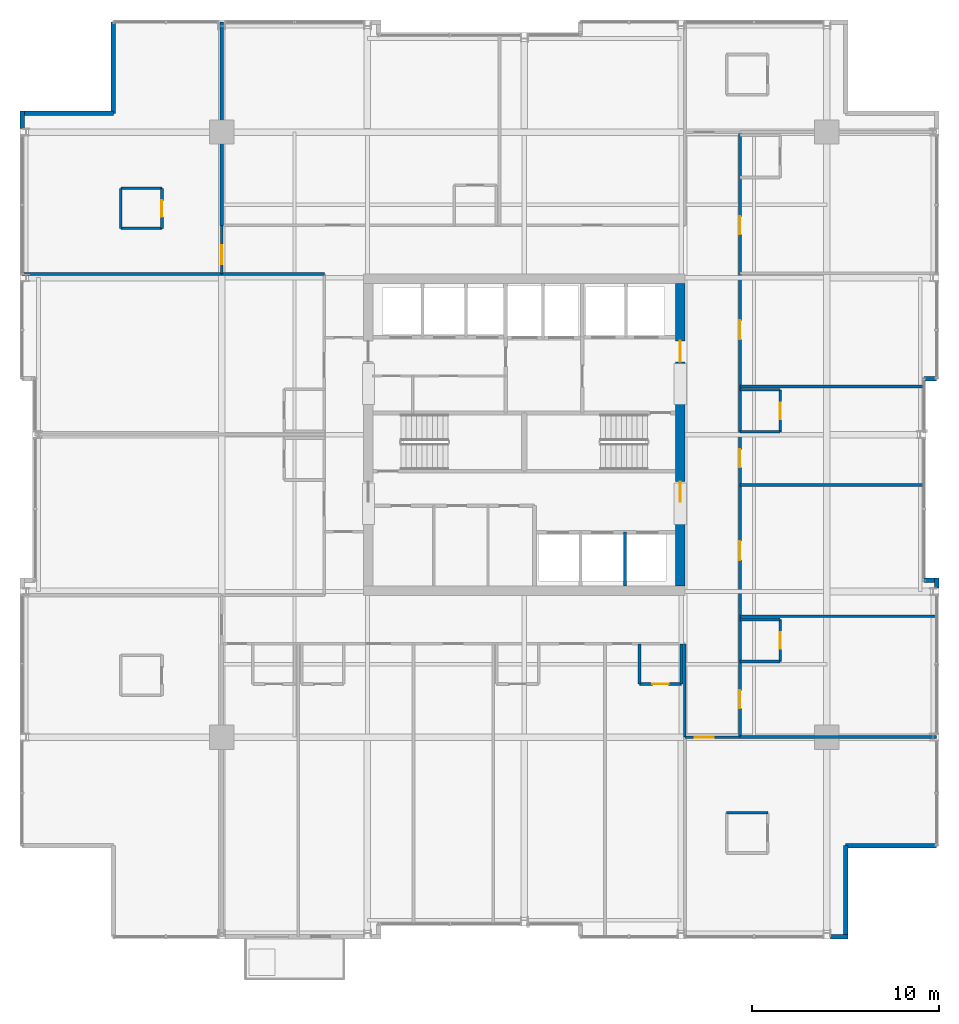
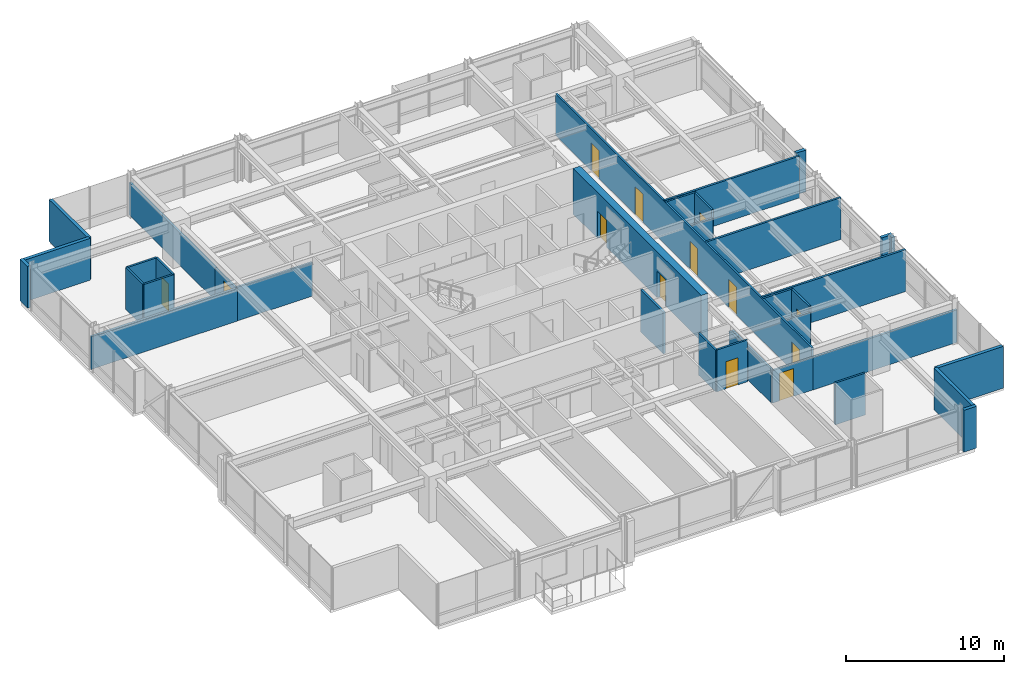
# One storey, part 28 of 33: 36 walls, 13 doors, 13 openings.
"""IFC4 building model written with IfcOpenShell, lengths in metres."""

from ifc_helpers import new_model, si_unit, direction, frame, frame_2d, origin, place, context, subcontext, project, spatial, rectangle, extrude, material, layer, layer_set, type_object, element, fill, save


model = new_model("IFC4")

# Units and contexts
model_context = context("Model", 3, precision=1e-05, world=origin(), true_north=direction((0.0, 1.0)))
body_context = subcontext(model_context, "Body", "Model", "MODEL_VIEW")
ifc_project = project(units=[si_unit("LENGTHUNIT", "METRE"), si_unit("AREAUNIT", "SQUARE_METRE"), si_unit("VOLUMEUNIT", "CUBIC_METRE"), si_unit("PLANEANGLEUNIT", "RADIAN"), si_unit("MASSUNIT", "GRAM", prefix="KILO")], contexts=[model_context])

# Site, building, storey
site_placement = place(None, origin())
site = spatial("IfcSite", under=ifc_project, at=site_placement, CompositionType="ELEMENT")
building_placement = place(site_placement, origin())
building = spatial("IfcBuilding", under=site, at=building_placement, Name="Drelvath Grand Hotel", CompositionType="ELEMENT")
storey_placement = place(building_placement, frame((0.0, 0.0, 196.550048828125)))
storey = spatial("IfcBuildingStorey", under=building, at=storey_placement, Name="L51", CompositionType="ELEMENT", Elevation=196.550048828125)

# Walls
ifc_material_1 = material(Name="Gypsum Fireboard Partition")
ifc_layer_1 = layer(ifc_material_1, 0.1650390625)
ifc_layer_set_1 = layer_set([ifc_layer_1], Name="Gypsum Fireboard Partition")
wall_type_1 = type_object("IfcWallType", Name="Core Shaft Partition 165", PredefinedType="PARTITIONING", material=ifc_layer_set_1)
wall_1_placement = place(storey_placement, frame((5.39990234375, 18.89990234375, 0.0), z_axis=(0.0, 0.0, 1.0), x_axis=(0.0, 1.0, 0.0)))
element("IfcWall", 1, at=wall_1_placement, inside=storey, type_object=wall_type_1, Name="L51 Lift PE-5/6 Divider", PredefinedType="PARTITIONING", context=body_context, shape_type="SweptSolid", body=[
    extrude(rectangle(XDim=2.880126953125, YDim=0.1650390625, at=frame_2d((1.43994140625, 0.0))), origin(), (0.0, 0.0, 1.0), 3.22998046875),
])
ifc_layer_2 = layer(ifc_material_1, 0.135009765625)
ifc_layer_set_2 = layer_set([ifc_layer_2], Name="Gypsum Fireboard Partition")
wall_type_2 = type_object("IfcWallType", Name="Corridor Fire Barrier Wall 135", PredefinedType="PARTITIONING", material=ifc_layer_set_2)
wall_2_placement = place(storey_placement, frame((8.60009765625, 10.800048828125, 0.0), z_axis=(0.0, 0.0, 1.0), x_axis=(0.0, 1.0, 0.0)))
element("IfcWall", 2, at=wall_2_placement, inside=storey, type_object=wall_type_2, Name="L51 East Spine South Inner Wall", PredefinedType="PARTITIONING", context=body_context, shape_type="SweptSolid", body=[
    extrude(rectangle(XDim=5.0, YDim=0.135009765625, at=frame_2d((2.5, 0.0))), origin(), (0.0, 0.0, 1.0), 2.607421875),
])
wall_3_placement = place(storey_placement, frame((-16.199951171875, 35.60009765625, 0.0), z_axis=(0.0, 0.0, 1.0), x_axis=(1.0, 0.0, 0.0)))
element("IfcWall", 3, at=wall_3_placement, inside=storey, type_object=wall_type_2, Name="L51 NW Stub South Wall", PredefinedType="PARTITIONING", context=body_context, shape_type="SweptSolid", body=[
    extrude(rectangle(XDim=5.5, YDim=0.135009765625, at=frame_2d((2.75, 0.0))), origin(), (0.0, 0.0, 1.0), 2.607421875),
])

# Wall, openings, doors
wall_4_placement = place(storey_placement, frame((11.550048828125, 10.800048828125, 0.0), z_axis=(0.0, 0.0, 1.0), x_axis=(0.0, 1.0, 0.0)))
wall_4 = element("IfcWall", 4, at=wall_4_placement, inside=storey, type_object=wall_type_2, Name="L51 East Spine Corridor Wall", PredefinedType="PARTITIONING", context=body_context, shape_type="SweptSolid", body=[
    extrude(rectangle(XDim=32.39990234375, YDim=0.135009765625, at=frame_2d((16.199951171875, 0.0))), origin(), (0.0, 0.0, 1.0), 3.22998046875),
])
opening_1_placement = place(wall_4_placement, frame((1.544921875, 0.0, 0.0)))
opening_1 = element("IfcOpeningElement", 5, at=opening_1_placement, cuts=wall_4, Name="Opening D-T3G5-047", PredefinedType="OPENING", context=body_context, shape_type="SweptSolid", body=[
    extrude(rectangle(XDim=0.9599609375, YDim=2.14990234375, at=frame_2d((0.47998046875, 1.074951171875))), frame((0.0, 0.077392578125, 0.0), z_axis=(0.0, -1.0, 0.0), x_axis=(1.0, 0.0, 0.0)), (0.0, 0.0, 1.0), 0.155029296875),
])
opening_2_placement = place(wall_4_placement, frame((9.47998046875, 0.0, 0.0)))
opening_2 = element("IfcOpeningElement", 6, at=opening_2_placement, cuts=wall_4, Name="Opening D-T3G5-048", PredefinedType="OPENING", context=body_context, shape_type="SweptSolid", body=[
    extrude(rectangle(XDim=1.02001953125, YDim=2.14990234375, at=frame_2d((0.510009765625, 1.074951171875))), frame((0.0, 0.077392578125, 0.0), z_axis=(0.0, -1.0, 0.0), x_axis=(1.0, 0.0, 0.0)), (0.0, 0.0, 1.0), 0.155029296875),
])
opening_3_placement = place(wall_4_placement, frame((14.445068359375, 0.0, 0.0)))
opening_3 = element("IfcOpeningElement", 7, at=opening_3_placement, cuts=wall_4, Name="Opening D-T3G5-050", PredefinedType="OPENING", context=body_context, shape_type="SweptSolid", body=[
    extrude(rectangle(XDim=0.9599609375, YDim=2.14990234375, at=frame_2d((0.47998046875, 1.074951171875))), frame((0.0, 0.077392578125, 0.0), z_axis=(0.0, -1.0, 0.0), x_axis=(1.0, 0.0, 0.0)), (0.0, 0.0, 1.0), 0.155029296875),
])
opening_4_placement = place(wall_4_placement, frame((21.300048828125, 0.0, 0.0)))
opening_4 = element("IfcOpeningElement", 8, at=opening_4_placement, cuts=wall_4, Name="Opening D-T3G5-051", PredefinedType="OPENING", context=body_context, shape_type="SweptSolid", body=[
    extrude(rectangle(XDim=1.02001953125, YDim=2.14990234375, at=frame_2d((0.510009765625, 1.074951171875))), frame((0.0, 0.077392578125, 0.0), z_axis=(0.0, -1.0, 0.0), x_axis=(1.0, 0.0, 0.0)), (0.0, 0.0, 1.0), 0.155029296875),
])
opening_5_placement = place(wall_4_placement, frame((26.925048828125, 0.0, 0.0)))
opening_5 = element("IfcOpeningElement", 9, at=opening_5_placement, cuts=wall_4, Name="Opening D-T3G5-053", PredefinedType="OPENING", context=body_context, shape_type="SweptSolid", body=[
    extrude(rectangle(XDim=0.9599609375, YDim=2.14990234375, at=frame_2d((0.47998046875, 1.074951171875))), frame((0.0, 0.077392578125, 0.0), z_axis=(0.0, -1.0, 0.0), x_axis=(1.0, 0.0, 0.0)), (0.0, 0.0, 1.0), 0.155029296875),
])
ifc_material_2 = material(Name="Hardwood Walnut Timber", Category="wood")
door_type_1 = type_object("IfcDoorType", Name="Amenity Meeting Fire Door 1020x2150", OperationType="NOTDEFINED", PredefinedType="DOOR", material=ifc_material_2)
door_1_placement = place(opening_2_placement, origin())
door_1 = element("IfcDoor", 10, at=door_1_placement, inside=storey, type_object=door_type_1, Name="L51 Spa Therapy Room Entry Door", OperationType="SINGLE_SWING_RIGHT", OverallHeight=2.14990234375, OverallWidth=1.02001953125, PredefinedType="DOOR", context=body_context, shape_type="SweptSolid", body=[
    extrude(rectangle(XDim=1.02001953125, YDim=2.14990234375, at=frame_2d((0.510009765625, 1.074951171875))), frame((0.0, 0.02490234375, 0.0), z_axis=(0.0, -1.0, 0.0), x_axis=(1.0, 0.0, 0.0)), (0.0, 0.0, 1.0), 0.050048828125),
])
fill(opening_2, door_1)
door_2_placement = place(opening_4_placement, origin())
door_2 = element("IfcDoor", 11, at=door_2_placement, inside=storey, type_object=door_type_1, Name="L51 Protocol Office Entry Door", OperationType="SINGLE_SWING_LEFT", OverallHeight=2.14990234375, OverallWidth=1.02001953125, PredefinedType="DOOR", context=body_context, shape_type="SweptSolid", body=[
    extrude(rectangle(XDim=1.02001953125, YDim=2.14990234375, at=frame_2d((0.510009765625, 1.074951171875))), frame((0.0, 0.02490234375, 0.0), z_axis=(0.0, -1.0, 0.0), x_axis=(1.0, 0.0, 0.0)), (0.0, 0.0, 1.0), 0.050048828125),
])
fill(opening_4, door_2)
door_type_2 = type_object("IfcDoorType", Name="Guestroom Entrance Fire Door 960x2150", OperationType="NOTDEFINED", PredefinedType="DOOR", material=ifc_material_2)
door_3_placement = place(opening_1_placement, origin())
door_3 = element("IfcDoor", 12, at=door_3_placement, inside=storey, type_object=door_type_2, Name="L51 King Guest Room Entry Door", OperationType="SINGLE_SWING_LEFT", OverallHeight=2.14990234375, OverallWidth=0.9599609375, PredefinedType="DOOR", context=body_context, shape_type="SweptSolid", body=[
    extrude(rectangle(XDim=0.9599609375, YDim=2.14990234375, at=frame_2d((0.47998046875, 1.074951171875))), frame((0.0, 0.02490234375, 0.0), z_axis=(0.0, -1.0, 0.0), x_axis=(1.0, 0.0, 0.0)), (0.0, 0.0, 1.0), 0.050048828125),
])
fill(opening_1, door_3)
door_4_placement = place(opening_3_placement, origin())
door_4 = element("IfcDoor", 13, at=door_4_placement, inside=storey, type_object=door_type_2, Name="L51 King Guest Room Entry Door", OperationType="SINGLE_SWING_RIGHT", OverallHeight=2.14990234375, OverallWidth=0.9599609375, PredefinedType="DOOR", context=body_context, shape_type="SweptSolid", body=[
    extrude(rectangle(XDim=0.9599609375, YDim=2.14990234375, at=frame_2d((0.47998046875, 1.074951171875))), frame((0.0, 0.02490234375, 0.0), z_axis=(0.0, -1.0, 0.0), x_axis=(1.0, 0.0, 0.0)), (0.0, 0.0, 1.0), 0.050048828125),
])
fill(opening_3, door_4)
door_5_placement = place(opening_5_placement, origin())
door_5 = element("IfcDoor", 14, at=door_5_placement, inside=storey, type_object=door_type_2, Name="L51 King Guest Room Entry Door", OperationType="SINGLE_SWING_LEFT", OverallHeight=2.14990234375, OverallWidth=0.9599609375, PredefinedType="DOOR", context=body_context, shape_type="SweptSolid", body=[
    extrude(rectangle(XDim=0.9599609375, YDim=2.14990234375, at=frame_2d((0.47998046875, 1.074951171875))), frame((0.0, 0.02490234375, 0.0), z_axis=(0.0, -1.0, 0.0), x_axis=(1.0, 0.0, 0.0)), (0.0, 0.0, 1.0), 0.050048828125),
])
fill(opening_5, door_5)

# Wall, opening, door
wall_5_placement = place(storey_placement, frame((-16.199951171875, 35.60009765625, 0.0), z_axis=(0.0, 0.0, 1.0), x_axis=(0.0, 1.0, 0.0)))
wall_5 = element("IfcWall", 15, at=wall_5_placement, inside=storey, type_object=wall_type_2, Name="L51 North Stub West End", PredefinedType="PARTITIONING", context=body_context, shape_type="SweptSolid", body=[
    extrude(rectangle(XDim=2.599853515625, YDim=0.135009765625, at=frame_2d((1.2998046875, 0.0))), origin(), (0.0, 0.0, 1.0), 2.51953125),
])
opening_6_placement = place(wall_5_placement, frame((0.52001953125, 0.0, 0.0)))
opening_6 = element("IfcOpeningElement", 16, at=opening_6_placement, cuts=wall_5, Name="Opening D-T3G5-029", PredefinedType="OPENING", context=body_context, shape_type="SweptSolid", body=[
    extrude(rectangle(XDim=1.02001953125, YDim=2.14990234375, at=frame_2d((0.510009765625, 1.074951171875))), frame((0.0, 0.077392578125, 0.0), z_axis=(0.0, -1.0, 0.0), x_axis=(1.0, 0.0, 0.0)), (0.0, 0.0, 1.0), 0.155029296875),
])
door_6_placement = place(opening_6_placement, origin())
door_6 = element("IfcDoor", 17, at=door_6_placement, inside=storey, type_object=door_type_1, Name="L51 Executive Suite Entry Door", OperationType="SINGLE_SWING_LEFT", OverallHeight=2.14990234375, OverallWidth=1.02001953125, PredefinedType="DOOR", context=body_context, shape_type="SweptSolid", body=[
    extrude(rectangle(XDim=1.02001953125, YDim=2.14990234375, at=frame_2d((0.510009765625, 1.074951171875))), frame((0.0, 0.02490234375, 0.0), z_axis=(0.0, -1.0, 0.0), x_axis=(1.0, 0.0, 0.0)), (0.0, 0.0, 1.0), 0.050048828125),
])
fill(opening_6, door_6)

wall_6_placement = place(storey_placement, frame((8.60009765625, 10.800048828125, 0.0), z_axis=(0.0, 0.0, 1.0), x_axis=(1.0, 0.0, 0.0)))
wall_6 = element("IfcWall", 18, at=wall_6_placement, inside=storey, type_object=wall_type_2, Name="L51 East Spine South End", PredefinedType="PARTITIONING", context=body_context, shape_type="SweptSolid", body=[
    extrude(rectangle(XDim=2.949951171875, YDim=0.135009765625, at=frame_2d((1.47509765625, 0.0))), origin(), (0.0, 0.0, 1.0), 2.51953125),
])
opening_7_placement = place(wall_6_placement, frame((0.52001953125, 0.0, 0.0)))
opening_7 = element("IfcOpeningElement", 19, at=opening_7_placement, cuts=wall_6, Name="Opening D-T3G5-031", PredefinedType="OPENING", context=body_context, shape_type="SweptSolid", body=[
    extrude(rectangle(XDim=1.02001953125, YDim=2.14990234375, at=frame_2d((0.510009765625, 1.074951171875))), frame((0.0, 0.077392578125, 0.0), z_axis=(0.0, -1.0, 0.0), x_axis=(1.0, 0.0, 0.0)), (0.0, 0.0, 1.0), 0.155029296875),
])
door_7_placement = place(opening_7_placement, origin())
door_7 = element("IfcDoor", 20, at=door_7_placement, inside=storey, type_object=door_type_1, Name="L51 Executive Suite Entry Door", OperationType="SINGLE_SWING_LEFT", OverallHeight=2.14990234375, OverallWidth=1.02001953125, PredefinedType="DOOR", context=body_context, shape_type="SweptSolid", body=[
    extrude(rectangle(XDim=1.02001953125, YDim=2.14990234375, at=frame_2d((0.510009765625, 1.074951171875))), frame((0.0, 0.02490234375, 0.0), z_axis=(0.0, -1.0, 0.0), x_axis=(1.0, 0.0, 0.0)), (0.0, 0.0, 1.0), 0.050048828125),
])
fill(opening_7, door_7)

# Walls
ifc_material_3 = material(Name="Moisture-Resistant Gypsum Board")
ifc_layer_3 = layer(ifc_material_3, 0.139892578125)
ifc_layer_set_3 = layer_set([ifc_layer_3], Name="Moisture-Resistant Gypsum Board")
wall_type_3 = type_object("IfcWallType", Name="En-Suite Plumbing Wall 140", PredefinedType="PLUMBINGWALL", material=ifc_layer_set_3)
for number, where, z_axis, x_axis, name in (
    (21, (-21.60009765625, 38.0400390625, 0.0), (0.0, 0.0, 1.0), (1.0, 0.0, 0.0), "L51 Corner En-Suite South"),
    (22, (-21.60009765625, 40.18994140625, 0.0), (0.0, 0.0, 1.0), (1.0, 0.0, 0.0), "L51 Corner En-Suite North"),
):
    element("IfcWall", number, at=place(storey_placement, frame(where, z_axis=z_axis, x_axis=x_axis)), inside=storey, type_object=wall_type_3, Name=name, PredefinedType="PLUMBINGWALL", context=body_context, shape_type="SweptSolid", body=[
        extrude(rectangle(XDim=2.2001953125, YDim=0.139892578125, at=frame_2d((1.10009765625, 0.0))), origin(), (0.0, 0.0, 1.0), 3.22998046875),
    ])
wall_7_placement = place(storey_placement, frame((-21.60009765625, 38.0400390625, 0.0), z_axis=(0.0, 0.0, 1.0), x_axis=(0.0, 1.0, 0.0)))
element("IfcWall", 23, at=wall_7_placement, inside=storey, type_object=wall_type_3, Name="L51 Corner En-Suite West", PredefinedType="PLUMBINGWALL", context=body_context, shape_type="SweptSolid", body=[
    extrude(rectangle(XDim=2.14990234375, YDim=0.139892578125, at=frame_2d((1.074951171875, 0.0))), origin(), (0.0, 0.0, 1.0), 3.22998046875),
])

# Wall, opening, door
wall_8_placement = place(storey_placement, frame((-19.39990234375, 38.0400390625, 0.0), z_axis=(0.0, 0.0, 1.0), x_axis=(0.0, 1.0, 0.0)))
wall_8 = element("IfcWall", 24, at=wall_8_placement, inside=storey, type_object=wall_type_3, Name="L51 Corner En-Suite East", PredefinedType="PLUMBINGWALL", context=body_context, shape_type="SweptSolid", body=[
    extrude(rectangle(XDim=2.14990234375, YDim=0.139892578125, at=frame_2d((1.074951171875, 0.0))), origin(), (0.0, 0.0, 1.0), 3.22998046875),
])
opening_8_placement = place(wall_8_placement, frame((0.6201171875, 0.0, 0.0)))
opening_8 = element("IfcOpeningElement", 25, at=opening_8_placement, cuts=wall_8, Name="Opening D-T3G5-028", PredefinedType="OPENING", context=body_context, shape_type="SweptSolid", body=[
    extrude(rectangle(XDim=0.8798828125, YDim=2.10009765625, at=frame_2d((0.43994140625, 1.050048828125))), frame((0.0, 0.079833984375, 0.0), z_axis=(0.0, -1.0, 0.0), x_axis=(1.0, 0.0, 0.0)), (0.0, 0.0, 1.0), 0.159912109375),
])
door_type_3 = type_object("IfcDoorType", Name="En-Suite Bathroom Door 880x2100", OperationType="NOTDEFINED", PredefinedType="DOOR", material=ifc_material_2)
door_8_placement = place(opening_8_placement, origin())
door_8 = element("IfcDoor", 26, at=door_8_placement, inside=storey, type_object=door_type_3, Name="L51 Corner En-Suite Door", OperationType="SINGLE_SWING_RIGHT", OverallHeight=2.10009765625, OverallWidth=0.8798828125, PredefinedType="DOOR", context=body_context, shape_type="SweptSolid", body=[
    extrude(rectangle(XDim=0.8798828125, YDim=2.10009765625, at=frame_2d((0.43994140625, 1.050048828125))), frame((0.0, 0.02490234375, 0.0), z_axis=(0.0, -1.0, 0.0), x_axis=(1.0, 0.0, 0.0)), (0.0, 0.0, 1.0), 0.050048828125),
])
fill(opening_8, door_8)

# Walls
wall_9_placement = place(storey_placement, frame((10.840087890625, 6.75, 0.0), z_axis=(0.0, 0.0, 1.0), x_axis=(1.0, 0.0, 0.0)))
element("IfcWall", 27, at=wall_9_placement, inside=storey, type_object=wall_type_3, Name="L51 Corner En-Suite North", PredefinedType="PLUMBINGWALL", context=body_context, shape_type="SweptSolid", body=[
    extrude(rectangle(XDim=2.199951171875, YDim=0.139892578125, at=frame_2d((1.10009765625, 0.0))), origin(), (0.0, 0.0, 1.0), 3.22998046875),
])
wall_10_placement = place(storey_placement, frame((6.169921875, 15.800048828125, 0.0), z_axis=(0.0, 0.0, 1.0), x_axis=(0.0, -1.0, 0.0)))
element("IfcWall", 28, at=wall_10_placement, inside=storey, type_object=wall_type_3, Name="L51 En-Suite Left Wall", PredefinedType="PLUMBINGWALL", context=body_context, shape_type="SweptSolid", body=[
    extrude(rectangle(XDim=2.150146484375, YDim=0.139892578125, at=frame_2d((1.0751953125, 0.0))), origin(), (0.0, 0.0, 1.0), 3.22998046875),
])
wall_11_placement = place(storey_placement, frame((8.419921875, 15.800048828125, 0.0), z_axis=(0.0, 0.0, 1.0), x_axis=(0.0, -1.0, 0.0)))
element("IfcWall", 29, at=wall_11_placement, inside=storey, type_object=wall_type_3, Name="L51 En-Suite Right Wall", PredefinedType="PLUMBINGWALL", context=body_context, shape_type="SweptSolid", body=[
    extrude(rectangle(XDim=2.150146484375, YDim=0.139892578125, at=frame_2d((1.0751953125, 0.0))), origin(), (0.0, 0.0, 1.0), 2.607421875),
])

# Wall, opening, door
wall_12_placement = place(storey_placement, frame((6.169921875, 13.64990234375, 0.0), z_axis=(0.0, 0.0, 1.0), x_axis=(1.0, 0.0, 0.0)))
wall_12 = element("IfcWall", 30, at=wall_12_placement, inside=storey, type_object=wall_type_3, Name="L51 En-Suite Front Wall", PredefinedType="PLUMBINGWALL", context=body_context, shape_type="SweptSolid", body=[
    extrude(rectangle(XDim=2.25, YDim=0.139892578125, at=frame_2d((1.125, 0.0))), origin(), (0.0, 0.0, 1.0), 3.22998046875),
])
opening_9_placement = place(wall_12_placement, frame((0.68505859375, 0.0, 0.0)))
opening_9 = element("IfcOpeningElement", 31, at=opening_9_placement, cuts=wall_12, Name="Opening D-T3G5-041", PredefinedType="OPENING", context=body_context, shape_type="SweptSolid", body=[
    extrude(rectangle(XDim=0.8798828125, YDim=2.10009765625, at=frame_2d((0.43994140625, 1.050048828125))), frame((0.0, 0.079833984375, 0.0), z_axis=(0.0, -1.0, 0.0), x_axis=(1.0, 0.0, 0.0)), (0.0, 0.0, 1.0), 0.159912109375),
])
door_9_placement = place(opening_9_placement, origin())
door_9 = element("IfcDoor", 32, at=door_9_placement, inside=storey, type_object=door_type_3, Name="L51 En-Suite Bathroom Door", OperationType="SINGLE_SWING_LEFT", OverallHeight=2.10009765625, OverallWidth=0.8798828125, PredefinedType="DOOR", context=body_context, shape_type="SweptSolid", body=[
    extrude(rectangle(XDim=0.8798828125, YDim=2.10009765625, at=frame_2d((0.43994140625, 1.050048828125))), frame((0.0, 0.02490234375, 0.0), z_axis=(0.0, -1.0, 0.0), x_axis=(1.0, 0.0, 0.0)), (0.0, 0.0, 1.0), 0.050048828125),
])
fill(opening_9, door_9)

# Walls
wall_13_placement = place(storey_placement, frame((11.550048828125, 14.85009765625, 0.0), z_axis=(0.0, 0.0, 1.0), x_axis=(1.0, 0.0, 0.0)))
element("IfcWall", 33, at=wall_13_placement, inside=storey, type_object=wall_type_3, Name="L51 En-Suite Left Wall", PredefinedType="PLUMBINGWALL", context=body_context, shape_type="SweptSolid", body=[
    extrude(rectangle(XDim=2.14990234375, YDim=0.139892578125, at=frame_2d((1.074951171875, 0.0))), origin(), (0.0, 0.0, 1.0), 2.808349609375),
])
wall_14_placement = place(storey_placement, frame((11.550048828125, 17.10009765625, 0.0), z_axis=(0.0, 0.0, 1.0), x_axis=(1.0, 0.0, 0.0)))
element("IfcWall", 34, at=wall_14_placement, inside=storey, type_object=wall_type_3, Name="L51 En-Suite Right Wall", PredefinedType="PLUMBINGWALL", context=body_context, shape_type="SweptSolid", body=[
    extrude(rectangle(XDim=2.14990234375, YDim=0.139892578125, at=frame_2d((1.074951171875, 0.0))), origin(), (0.0, 0.0, 1.0), 3.22998046875),
])

# Wall, opening, door
wall_15_placement = place(storey_placement, frame((13.699951171875, 14.85009765625, 0.0), z_axis=(0.0, 0.0, 1.0), x_axis=(0.0, 1.0, 0.0)))
wall_15 = element("IfcWall", 35, at=wall_15_placement, inside=storey, type_object=wall_type_3, Name="L51 En-Suite Front Wall", PredefinedType="PLUMBINGWALL", context=body_context, shape_type="SweptSolid", body=[
    extrude(rectangle(XDim=2.25, YDim=0.139892578125, at=frame_2d((1.125, 0.0))), origin(), (0.0, 0.0, 1.0), 3.22998046875),
])
opening_10_placement = place(wall_15_placement, frame((0.68505859375, 0.0, 0.0)))
opening_10 = element("IfcOpeningElement", 36, at=opening_10_placement, cuts=wall_15, Name="Opening D-T3G5-046", PredefinedType="OPENING", context=body_context, shape_type="SweptSolid", body=[
    extrude(rectangle(XDim=0.8798828125, YDim=2.10009765625, at=frame_2d((0.43994140625, 1.050048828125))), frame((0.0, 0.079833984375, 0.0), z_axis=(0.0, -1.0, 0.0), x_axis=(1.0, 0.0, 0.0)), (0.0, 0.0, 1.0), 0.159912109375),
])
door_10_placement = place(opening_10_placement, origin())
door_10 = element("IfcDoor", 37, at=door_10_placement, inside=storey, type_object=door_type_3, Name="L51 En-Suite Bathroom Door", OperationType="SINGLE_SWING_RIGHT", OverallHeight=2.10009765625, OverallWidth=0.8798828125, PredefinedType="DOOR", context=body_context, shape_type="SweptSolid", body=[
    extrude(rectangle(XDim=0.8798828125, YDim=2.10009765625, at=frame_2d((0.43994140625, 1.050048828125))), frame((0.0, 0.02490234375, 0.0), z_axis=(0.0, -1.0, 0.0), x_axis=(1.0, 0.0, 0.0)), (0.0, 0.0, 1.0), 0.050048828125),
])
fill(opening_10, door_10)

# Walls
wall_16_placement = place(storey_placement, frame((11.550048828125, 27.14990234375, 0.0), z_axis=(0.0, 0.0, 1.0), x_axis=(1.0, 0.0, 0.0)))
element("IfcWall", 38, at=wall_16_placement, inside=storey, type_object=wall_type_3, Name="L51 En-Suite Left Wall", PredefinedType="PLUMBINGWALL", context=body_context, shape_type="SweptSolid", body=[
    extrude(rectangle(XDim=2.14990234375, YDim=0.139892578125, at=frame_2d((1.074951171875, 0.0))), origin(), (0.0, 0.0, 1.0), 2.607421875),
])
wall_17_placement = place(storey_placement, frame((11.550048828125, 29.39990234375, 0.0), z_axis=(0.0, 0.0, 1.0), x_axis=(1.0, 0.0, 0.0)))
element("IfcWall", 39, at=wall_17_placement, inside=storey, type_object=wall_type_3, Name="L51 En-Suite Right Wall", PredefinedType="PLUMBINGWALL", context=body_context, shape_type="SweptSolid", body=[
    extrude(rectangle(XDim=2.14990234375, YDim=0.139892578125, at=frame_2d((1.074951171875, 0.0))), origin(), (0.0, 0.0, 1.0), 3.22998046875),
])

# Wall, opening, door
wall_18_placement = place(storey_placement, frame((13.699951171875, 27.14990234375, 0.0), z_axis=(0.0, 0.0, 1.0), x_axis=(0.0, 1.0, 0.0)))
wall_18 = element("IfcWall", 40, at=wall_18_placement, inside=storey, type_object=wall_type_3, Name="L51 En-Suite Front Wall", PredefinedType="PLUMBINGWALL", context=body_context, shape_type="SweptSolid", body=[
    extrude(rectangle(XDim=2.25, YDim=0.139892578125, at=frame_2d((1.125, 0.0))), origin(), (0.0, 0.0, 1.0), 3.22998046875),
])
opening_11_placement = place(wall_18_placement, frame((0.68505859375, 0.0, 0.0)))
opening_11 = element("IfcOpeningElement", 41, at=opening_11_placement, cuts=wall_18, Name="Opening D-T3G5-049", PredefinedType="OPENING", context=body_context, shape_type="SweptSolid", body=[
    extrude(rectangle(XDim=0.8798828125, YDim=2.10009765625, at=frame_2d((0.43994140625, 1.050048828125))), frame((0.0, 0.079833984375, 0.0), z_axis=(0.0, -1.0, 0.0), x_axis=(1.0, 0.0, 0.0)), (0.0, 0.0, 1.0), 0.159912109375),
])
door_11_placement = place(opening_11_placement, origin())
door_11 = element("IfcDoor", 42, at=door_11_placement, inside=storey, type_object=door_type_3, Name="L51 En-Suite Bathroom Door", OperationType="SINGLE_SWING_LEFT", OverallHeight=2.10009765625, OverallWidth=0.8798828125, PredefinedType="DOOR", context=body_context, shape_type="SweptSolid", body=[
    extrude(rectangle(XDim=0.8798828125, YDim=2.10009765625, at=frame_2d((0.43994140625, 1.050048828125))), frame((0.0, 0.02490234375, 0.0), z_axis=(0.0, -1.0, 0.0), x_axis=(1.0, 0.0, 0.0)), (0.0, 0.0, 1.0), 0.050048828125),
])
fill(opening_11, door_11)

# Walls
ifc_material_4 = material(Name="Gypsum Acoustic Partition")
ifc_layer_4 = layer(ifc_material_4, 0.14990234375)
ifc_layer_set_4 = layer_set([ifc_layer_4], Name="Gypsum Acoustic Partition")
wall_type_4 = type_object("IfcWallType", Name="Guestroom Demising Wall 150", PredefinedType="PARTITIONING", material=ifc_layer_set_4)
wall_19_placement = place(storey_placement, frame((11.550048828125, 17.280029296875, 0.0), z_axis=(0.0, 0.0, 1.0), x_axis=(1.0, 0.0, 0.0)))
element("IfcWall", 43, at=wall_19_placement, inside=storey, type_object=wall_type_4, Name="L51 East Demising 1", PredefinedType="PARTITIONING", context=body_context, shape_type="SweptSolid", body=[
    extrude(rectangle(XDim=10.530029296875, YDim=0.14990234375, at=frame_2d((5.26513671875, 0.0))), origin(), (0.0, 0.0, 1.0), 3.22998046875),
])
for number, where, z_axis, x_axis, name in (
    (44, (11.550048828125, 24.300048828125, 0.0), (0.0, 0.0, 1.0), (1.0, 0.0, 0.0), "L51 East Demising 2"),
    (45, (11.550048828125, 29.580078125, 0.0), (0.0, 0.0, 1.0), (1.0, 0.0, 0.0), "L51 East Demising 3"),
):
    element("IfcWall", number, at=place(storey_placement, frame(where, z_axis=z_axis, x_axis=x_axis)), inside=storey, type_object=wall_type_4, Name=name, PredefinedType="PARTITIONING", context=body_context, shape_type="SweptSolid", body=[
        extrude(rectangle(XDim=9.849853515625, YDim=0.14990234375, at=frame_2d((4.9248046875, 0.0))), origin(), (0.0, 0.0, 1.0), 3.22998046875),
    ])
ifc_layer_5 = layer(ifc_material_4, 0.1650390625)
ifc_layer_set_5 = layer_set([ifc_layer_5], Name="Gypsum Acoustic Partition")
wall_type_5 = type_object("IfcWallType", Name="Suite Demising Wall 165", PredefinedType="PARTITIONING", material=ifc_layer_set_5)
wall_20_placement = place(storey_placement, frame((-16.199951171875, 38.199951171875, 0.0), z_axis=(0.0, 0.0, 1.0), x_axis=(0.0, 1.0, 0.0)))
element("IfcWall", 46, at=wall_20_placement, inside=storey, type_object=wall_type_5, Name="L51 NW Suite East Wall", PredefinedType="PARTITIONING", context=body_context, shape_type="SweptSolid", body=[
    extrude(rectangle(XDim=10.880126953125, YDim=0.1650390625, at=frame_2d((5.43994140625, 0.0))), origin(), (0.0, 0.0, 1.0), 2.51953125),
])
wall_21_placement = place(storey_placement, frame((11.550048828125, 10.800048828125, 0.0), z_axis=(0.0, 0.0, 1.0), x_axis=(1.0, 0.0, 0.0)))
element("IfcWall", 47, at=wall_21_placement, inside=storey, type_object=wall_type_5, Name="L51 SE Suite North Wall", PredefinedType="PARTITIONING", context=body_context, shape_type="SweptSolid", body=[
    extrude(rectangle(XDim=10.530029296875, YDim=0.1650390625, at=frame_2d((5.26513671875, 0.0))), origin(), (0.0, 0.0, 1.0), 2.51953125),
])
wall_22_placement = place(storey_placement, frame((-26.8798828125, 35.60009765625, 0.0), z_axis=(0.0, 0.0, 1.0), x_axis=(1.0, 0.0, 0.0)))
element("IfcWall", 48, at=wall_22_placement, inside=storey, type_object=wall_type_5, Name="L51 NW Suite South Wall", PredefinedType="PARTITIONING", context=body_context, shape_type="SweptSolid", body=[
    extrude(rectangle(XDim=10.679931640625, YDim=0.1650390625, at=frame_2d((5.33984375, 0.0))), origin(), (0.0, 0.0, 1.0), 2.51953125),
])
ifc_material_5 = material(Name="Pale-Metal Insulated Aluminium Spandrel Assembly", Category="aluminium")
ifc_layer_6 = layer(ifc_material_5, 0.239990234375)
ifc_layer_set_6 = layer_set([ifc_layer_6], Name="Pale-Metal Insulated Aluminium Spandrel Assembly")
wall_type_6 = type_object("IfcWallType", Name="Tower Insulated Metal Spandrel Closure Wall 240", PredefinedType="STANDARD", material=ifc_layer_set_6)
wall_23_placement = place(storey_placement, frame((-26.8798828125, 43.3916015625, 0.0), z_axis=(0.0, 0.0, 1.0), x_axis=(0.0, 1.0, 0.0)))
element("IfcWall", 49, at=wall_23_placement, inside=storey, type_object=wall_type_6, Name="L51 Corner Pier Spandrel Wall WN3", PredefinedType="STANDARD", context=body_context, shape_type="SweptSolid", body=[
    extrude(rectangle(XDim=0.928466796875, YDim=0.239990234375, at=frame_2d((0.46435546875, 0.0))), origin(), (0.0, 0.0, 1.0), 3.22998046875),
])
wall_24_placement = place(storey_placement, frame((22.080078125, 19.320068359375, 0.0), z_axis=(0.0, 0.0, 1.0), x_axis=(0.0, -1.0, 0.0)))
element("IfcWall", 50, at=wall_24_placement, inside=storey, type_object=wall_type_6, Name="L51 Corner Pier Spandrel Wall ES3", PredefinedType="STANDARD", context=body_context, shape_type="SweptSolid", body=[
    extrude(rectangle(XDim=0.5283203125, YDim=0.239990234375, at=frame_2d((0.26416015625, 0.0))), origin(), (0.0, 0.0, 1.0), 3.22998046875),
])
wall_25_placement = place(storey_placement, frame((17.320068359375, 0.1201171875, 0.0), z_axis=(0.0, 0.0, 1.0), x_axis=(-1.0, 0.0, 0.0)))
element("IfcWall", 51, at=wall_25_placement, inside=storey, type_object=wall_type_6, Name="L51 Corner Pier Spandrel Wall SE3", PredefinedType="STANDARD", context=body_context, shape_type="SweptSolid", body=[
    extrude(rectangle(XDim=0.928466796875, YDim=0.239990234375, at=frame_2d((0.46435546875, 0.0))), origin(), (0.0, 0.0, 1.0), 3.22998046875),
])
wall_26_placement = place(storey_placement, frame((-26.760009765625, 44.199951171875, 0.0), z_axis=(0.0, 0.0, 1.0), x_axis=(1.0, 0.0, 0.0)))
element("IfcWall", 52, at=wall_26_placement, inside=storey, type_object=wall_type_6, Name="L51 Notched Corner Return Spandrel Wall CNW1", PredefinedType="STANDARD", context=body_context, shape_type="SweptSolid", body=[
    extrude(rectangle(XDim=4.760009765625, YDim=0.239990234375, at=frame_2d((2.3798828125, 0.0))), origin(), (0.0, 0.0, 1.0), 3.22998046875),
])
for number, where, z_axis, x_axis, name in (
    (53, (-22.0, 44.199951171875, 0.0), (0.0, 0.0, 1.0), (0.0, 1.0, 0.0), "L51 Notched Corner Return Spandrel Wall CNW2"),
    (54, (22.080078125, 5.0, 0.0), (0.0, 0.0, 1.0), (-1.0, 0.0, 0.0), "L51 Notched Corner Return Spandrel Wall CSE1"),
):
    element("IfcWall", number, at=place(storey_placement, frame(where, z_axis=z_axis, x_axis=x_axis)), inside=storey, type_object=wall_type_6, Name=name, PredefinedType="STANDARD", context=body_context, shape_type="SweptSolid", body=[
        extrude(rectangle(XDim=4.880126953125, YDim=0.239990234375, at=frame_2d((2.43994140625, 0.0))), origin(), (0.0, 0.0, 1.0), 3.22998046875),
    ])
wall_27_placement = place(storey_placement, frame((17.199951171875, 5.0, 0.0), z_axis=(0.0, 0.0, 1.0), x_axis=(0.0, -1.0, 0.0)))
element("IfcWall", 55, at=wall_27_placement, inside=storey, type_object=wall_type_6, Name="L51 Notched Corner Return Spandrel Wall CSE2", PredefinedType="STANDARD", context=body_context, shape_type="SweptSolid", body=[
    extrude(rectangle(XDim=4.760009765625, YDim=0.239990234375, at=frame_2d((2.3798828125, 0.0))), origin(), (0.0, 0.0, 1.0), 3.22998046875),
])
wall_28_placement = place(storey_placement, frame((22.080078125, 30.0, 0.0), z_axis=(0.0, 0.0, 1.0), x_axis=(-1.0, 0.0, 0.0)))
element("IfcWall", 56, at=wall_28_placement, inside=storey, type_object=wall_type_6, Name="L51 Notched Corner Return Spandrel Wall RE1", PredefinedType="STANDARD", context=body_context, shape_type="SweptSolid", body=[
    extrude(rectangle(XDim=0.68017578125, YDim=0.239990234375, at=frame_2d((0.340087890625, 0.0))), origin(), (0.0, 0.0, 1.0), 3.22998046875),
])
wall_29_placement = place(storey_placement, frame((21.39990234375, 19.199951171875, 0.0), z_axis=(0.0, 0.0, 1.0), x_axis=(1.0, 0.0, 0.0)))
element("IfcWall", 57, at=wall_29_placement, inside=storey, type_object=wall_type_6, Name="L51 Notched Corner Return Spandrel Wall RE2", PredefinedType="STANDARD", context=body_context, shape_type="SweptSolid", body=[
    extrude(rectangle(XDim=0.56005859375, YDim=0.239990234375, at=frame_2d((0.280029296875, 0.0))), origin(), (0.0, 0.0, 1.0), 3.22998046875),
])

# Wall, openings, doors
ifc_material_6 = material(Name="Concrete f'c 55 MPa", Category="concrete")
ifc_layer_7 = layer(ifc_material_6, 0.5)
ifc_layer_set_7 = layer_set([ifc_layer_7], Name="Concrete f'c 55 MPa")
wall_type_7 = type_object("IfcWallType", Name="Upper Core RC Shear Wall 500", PredefinedType="SHEAR", material=ifc_layer_set_7)
wall_30_placement = place(storey_placement, frame((8.35009765625, 35.10009765625, 0.0), z_axis=(0.0, 0.0, 1.0), x_axis=(0.0, -1.0, 0.0)))
wall_30 = element("IfcWall", 58, at=wall_30_placement, inside=storey, type_object=wall_type_7, Name="L51 Central Core Shear Wall E", PredefinedType="SHEAR", context=body_context, shape_type="SweptSolid", body=[
    extrude(rectangle(XDim=16.2001953125, YDim=0.5, at=frame_2d((8.10009765625, 0.0))), origin(), (0.0, 0.0, 1.0), 3.550048828125),
])
opening_12_placement = place(wall_30_placement, frame((3.080078125, 0.0, 0.0)))
opening_12 = element("IfcOpeningElement", 59, at=opening_12_placement, cuts=wall_30, Name="Opening D-T3G5-006", PredefinedType="OPENING", context=body_context, shape_type="SweptSolid", body=[
    extrude(rectangle(XDim=1.1201171875, YDim=2.10009765625, at=frame_2d((0.56005859375, 1.050048828125))), frame((0.0, 0.260009765625, 0.0), z_axis=(0.0, -1.0, 0.0), x_axis=(1.0, 0.0, 0.0)), (0.0, 0.0, 1.0), 0.52001953125),
])
opening_13_placement = place(wall_30_placement, frame((10.6201171875, 0.0, 0.0)))
opening_13 = element("IfcOpeningElement", 60, at=opening_13_placement, cuts=wall_30, Name="Opening D-T3G5-020", PredefinedType="OPENING", context=body_context, shape_type="SweptSolid", body=[
    extrude(rectangle(XDim=1.080078125, YDim=2.0400390625, at=frame_2d((0.5400390625, 1.02001953125))), frame((0.0, 0.260009765625, 0.0), z_axis=(0.0, -1.0, 0.0), x_axis=(1.0, 0.0, 0.0)), (0.0, 0.0, 1.0), 0.52001953125),
])
ifc_material_7 = material(Name="Painted Steel S275", Category="steel")
door_type_4 = type_object("IfcDoorType", Name="Core Corridor Fire Door 1080x2100", OperationType="NOTDEFINED", PredefinedType="DOOR", material=ifc_material_7)
door_12_placement = place(opening_13_placement, origin())
door_12 = element("IfcDoor", 61, at=door_12_placement, inside=storey, type_object=door_type_4, Name="L51 Mid-Rise Lobby East Door", OperationType="SINGLE_SWING_RIGHT", OverallHeight=2.0400390625, OverallWidth=1.080078125, PredefinedType="DOOR", context=body_context, shape_type="SweptSolid", body=[
    extrude(rectangle(XDim=1.080078125, YDim=2.0400390625, at=frame_2d((0.5400390625, 1.02001953125))), frame((0.0, 0.02490234375, 0.0), z_axis=(0.0, -1.0, 0.0), x_axis=(1.0, 0.0, 0.0)), (0.0, 0.0, 1.0), 0.050048828125),
])
fill(opening_13, door_12)
door_type_5 = type_object("IfcDoorType", Name="FSAE Smoke Lobby Fire Door 1120x2100", OperationType="NOTDEFINED", PredefinedType="DOOR", material=ifc_material_7)
door_13_placement = place(opening_12_placement, origin())
door_13 = element("IfcDoor", 62, at=door_13_placement, inside=storey, type_object=door_type_5, Name="L51 FSAE Lobby East Corridor Door", OperationType="SINGLE_SWING_LEFT", OverallHeight=2.10009765625, OverallWidth=1.1201171875, PredefinedType="DOOR", context=body_context, shape_type="SweptSolid", body=[
    extrude(rectangle(XDim=1.1201171875, YDim=2.10009765625, at=frame_2d((0.56005859375, 1.050048828125))), frame((0.0, 0.02490234375, 0.0), z_axis=(0.0, -1.0, 0.0), x_axis=(1.0, 0.0, 0.0)), (0.0, 0.0, 1.0), 0.050048828125),
])
fill(opening_12, door_13)

save(model, "model.ifc")
